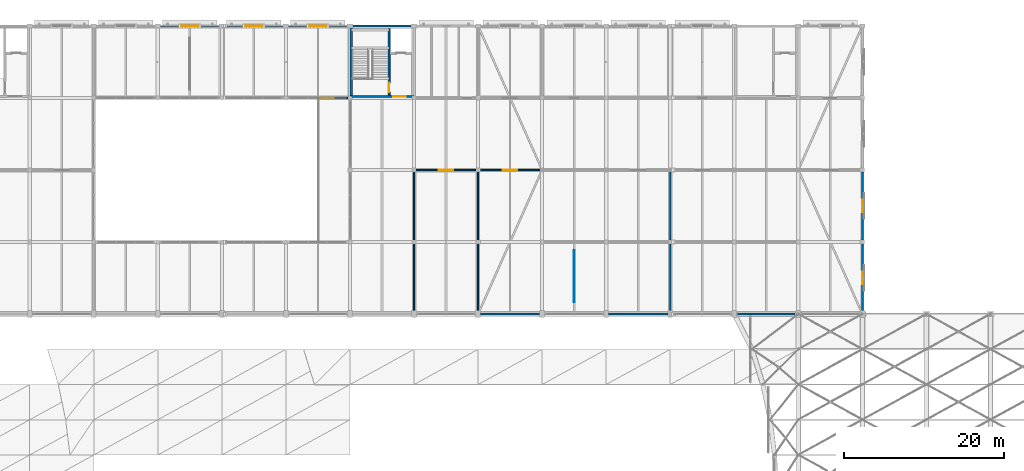
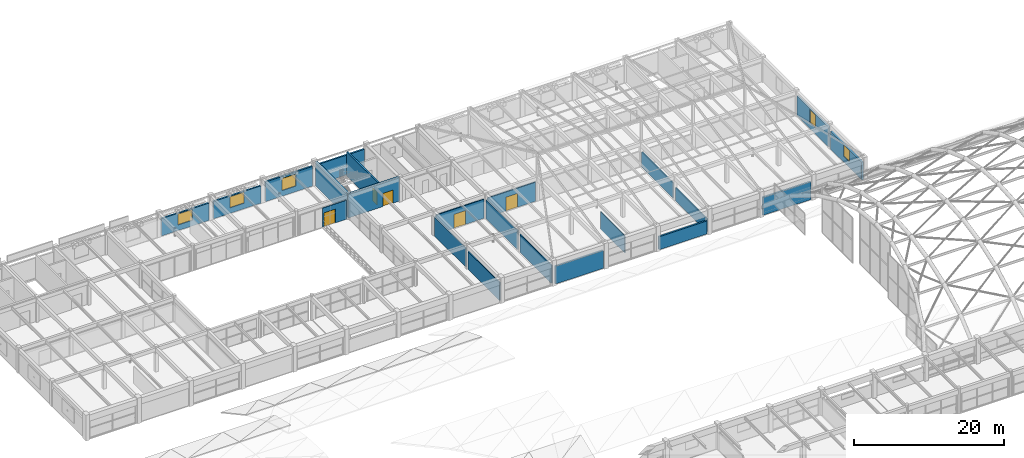
# One storey, part 100 of 126: 22 walls, 5 doors, 5 windows, 10 openings.
"""IFC4 building model written with IfcOpenShell, lengths in metres."""

from ifc_helpers import new_model, si_unit, direction, frame, frame_2d, origin, place, context, subcontext, project, spatial, rectangle, extrude, material, layer, layer_set, type_object, element, fill, save


model = new_model("IFC4")

# Units and contexts
model_context = context("Model", 3, precision=1e-05, world=origin(), true_north=direction((0.0, 1.0)))
body_context = subcontext(model_context, "Body", "Model", "MODEL_VIEW")
ifc_project = project(units=[si_unit("LENGTHUNIT", "METRE"), si_unit("AREAUNIT", "SQUARE_METRE"), si_unit("VOLUMEUNIT", "CUBIC_METRE"), si_unit("PLANEANGLEUNIT", "RADIAN"), si_unit("MASSUNIT", "GRAM", prefix="KILO")], contexts=[model_context])

# Site, building, storey
site_placement = place(None, origin())
site = spatial("IfcSite", under=ifc_project, at=site_placement, CompositionType="ELEMENT")
building_placement = place(site_placement, origin())
building = spatial("IfcBuilding", under=site, at=building_placement, Name="Varnabhumi Central Station", CompositionType="ELEMENT")
storey_placement = place(building_placement, frame((0.0, 0.0, 16.199951171875)))
storey = spatial("IfcBuildingStorey", under=building, at=storey_placement, Name="L03", CompositionType="ELEMENT", Elevation=16.199951171875)

# Wall
ifc_material_1 = material(Name="Concrete M40", Category="concrete")
ifc_layer_1 = layer(ifc_material_1, 0.300048828125, Name="Concrete M40", Category="concrete")
ifc_layer_set_1 = layer_set([ifc_layer_1], Name="Concrete M40")
wall_type_1 = type_object("IfcWallType", Name="WAL-CORE-RC-300", PredefinedType="SHEAR", material=ifc_layer_set_1)
wall_1_placement = place(storey_placement, frame((80.179931640625, 107.179931640625, 0.0), z_axis=(0.0, 0.0, 1.0), x_axis=(0.0, 1.0, 0.0)))
element("IfcWall", 1, at=wall_1_placement, inside=storey, type_object=wall_type_1, Name="NC2 L03 West Shear Wall", PredefinedType="SHEAR", context=body_context, shape_type="SweptSolid", body=[
    extrude(rectangle(XDim=8.64013671875, YDim=0.300048828125, at=frame_2d((4.320068359375, 0.0))), origin(), (0.0, 0.0, 1.0), 3.920166015625),
])

# Wall, opening, door
wall_2_placement = place(storey_placement, frame((80.030029296875, 107.179931640625, 0.0), z_axis=(0.0, 0.0, 1.0), x_axis=(1.0, 0.0, 0.0)))
wall_2 = element("IfcWall", 2, at=wall_2_placement, inside=storey, type_object=wall_type_1, Name="NC2 L03 Corridor Shear Wall", PredefinedType="SHEAR", context=body_context, shape_type="SweptSolid", body=[
    extrude(rectangle(XDim=7.93994140625, YDim=0.300048828125, at=frame_2d((3.969970703125, 0.0))), origin(), (0.0, 0.0, 1.0), 3.920166015625),
])
opening_1_placement = place(wall_2_placement, frame((5.35009765625, 0.0, 0.0)))
opening_1 = element("IfcOpeningElement", 3, at=opening_1_placement, cuts=wall_2, Name="Opening FD-60D", PredefinedType="OPENING", context=body_context, shape_type="SweptSolid", body=[
    extrude(rectangle(XDim=1.60009765625, YDim=2.14990234375, at=frame_2d((0.800048828125, 1.074951171875))), frame((0.0, 0.159912109375, 0.0), z_axis=(0.0, -1.0, 0.0), x_axis=(1.0, 0.0, 0.0)), (0.0, 0.0, 1.0), 0.320068359375),
])
ifc_material_2 = material(Name="Intumescent-treated hardwood timber", Category="wood")
door_type_1 = type_object("IfcDoorType", Name="DR-FIRE-60-1600", OperationType="NOTDEFINED", PredefinedType="DOOR", material=ifc_material_2)
door_1_placement = place(opening_1_placement, frame((1.60009765625, 0.0, 0.0), z_axis=(0.0, 0.0, 1.0), x_axis=(-1.0, 0.0, 0.0)))
door_1 = element("IfcDoor", 4, at=door_1_placement, inside=storey, type_object=door_type_1, Name="NC2 L03 Lobby Fire Door", OperationType="DOUBLE_DOOR_SINGLE_SWING", OverallHeight=2.14990234375, OverallWidth=1.60009765625, PredefinedType="DOOR", context=body_context, shape_type="SweptSolid", body=[
    extrude(rectangle(XDim=1.60009765625, YDim=2.14990234375, at=frame_2d((0.800048828125, 1.074951171875))), frame((0.0, 0.02490234375, 0.0), z_axis=(0.0, -1.0, 0.0), x_axis=(1.0, 0.0, 0.0)), (0.0, 0.0, 1.0), 0.050048828125),
])
fill(opening_1, door_1)

# Wall, opening, window
ifc_material_3 = material(Name="Autoclaved aerated blockwork masonry", Category="masonry")
ifc_layer_2 = layer(ifc_material_3, 0.260009765625, Name="Autoclaved aerated blockwork masonry", Category="masonry")
ifc_layer_set_2 = layer_set([ifc_layer_2], Name="Autoclaved aerated blockwork masonry")
wall_type_2 = type_object("IfcWallType", Name="WAL-EXT-STUCCO-260", PredefinedType="SOLIDWALL", material=ifc_layer_set_2)
wall_3_placement = place(storey_placement, frame((56.344970703125, 116.0, 0.0), z_axis=(0.0, 0.0, 1.0), x_axis=(1.0, 0.0, 0.0)))
wall_3 = element("IfcWall", 5, at=wall_3_placement, inside=storey, type_object=wall_type_2, Name="North Boulevard Wall L03-5", PredefinedType="SOLIDWALL", context=body_context, shape_type="SweptSolid", body=[
    extrude(rectangle(XDim=7.31005859375, YDim=0.260009765625, at=frame_2d((3.655029296875, 0.0))), origin(), (0.0, 0.0, 1.0), 2.830078125),
])
opening_2_placement = place(wall_3_placement, frame((2.554931640625, 0.0, 0.89990234375)))
opening_2 = element("IfcOpeningElement", 6, at=opening_2_placement, cuts=wall_3, Name="Opening W-03", PredefinedType="OPENING", context=body_context, shape_type="SweptSolid", body=[
    extrude(rectangle(XDim=2.199951171875, YDim=1.7900390625, at=frame_2d((1.10009765625, 0.89501953125))), frame((0.0, 0.139892578125, 0.0), z_axis=(0.0, -1.0, 0.0), x_axis=(1.0, 0.0, 0.0)), (0.0, 0.0, 1.0), 0.280029296875),
])
ifc_material_4 = material(Name="Laminated low-E double glazing", Category="glass")
window_type_1 = type_object("IfcWindowType", Name="WIN-PIER-2200x2200", PartitioningType="DOUBLE_PANEL_VERTICAL", PredefinedType="WINDOW", material=ifc_material_4)
window_1_placement = place(opening_2_placement, origin())
window_1 = element("IfcWindow", 7, at=window_1_placement, inside=storey, type_object=window_type_1, Name="North Facade Window L03-5", OverallHeight=1.7900390625, OverallWidth=2.199951171875, PartitioningType="SINGLE_PANEL", PredefinedType="WINDOW", context=body_context, shape_type="SweptSolid", body=[
    extrude(rectangle(XDim=2.199951171875, YDim=1.7900390625, at=frame_2d((1.10009765625, 0.89501953125))), frame((0.0, 0.030029296875, 0.0), z_axis=(0.0, -1.0, 0.0), x_axis=(1.0, 0.0, 0.0)), (0.0, 0.0, 1.0), 0.06005859375),
])
fill(opening_2, window_1)

wall_4_placement = place(storey_placement, frame((64.344970703125, 116.0, 0.0), z_axis=(0.0, 0.0, 1.0), x_axis=(1.0, 0.0, 0.0)))
wall_4 = element("IfcWall", 8, at=wall_4_placement, inside=storey, type_object=wall_type_2, Name="North Boulevard Wall L03-6", PredefinedType="SOLIDWALL", context=body_context, shape_type="SweptSolid", body=[
    extrude(rectangle(XDim=7.31005859375, YDim=0.260009765625, at=frame_2d((3.655029296875, 0.0))), origin(), (0.0, 0.0, 1.0), 2.830078125),
])
opening_3_placement = place(wall_4_placement, frame((2.554931640625, 0.0, 0.89990234375)))
opening_3 = element("IfcOpeningElement", 9, at=opening_3_placement, cuts=wall_4, Name="Opening W-03", PredefinedType="OPENING", context=body_context, shape_type="SweptSolid", body=[
    extrude(rectangle(XDim=2.199951171875, YDim=1.7900390625, at=frame_2d((1.10009765625, 0.89501953125))), frame((0.0, 0.139892578125, 0.0), z_axis=(0.0, -1.0, 0.0), x_axis=(1.0, 0.0, 0.0)), (0.0, 0.0, 1.0), 0.280029296875),
])
window_2_placement = place(opening_3_placement, origin())
window_2 = element("IfcWindow", 10, at=window_2_placement, inside=storey, type_object=window_type_1, Name="North Facade Window L03-6", OverallHeight=1.7900390625, OverallWidth=2.199951171875, PartitioningType="SINGLE_PANEL", PredefinedType="WINDOW", context=body_context, shape_type="SweptSolid", body=[
    extrude(rectangle(XDim=2.199951171875, YDim=1.7900390625, at=frame_2d((1.10009765625, 0.89501953125))), frame((0.0, 0.030029296875, 0.0), z_axis=(0.0, -1.0, 0.0), x_axis=(1.0, 0.0, 0.0)), (0.0, 0.0, 1.0), 0.06005859375),
])
fill(opening_3, window_2)

wall_5_placement = place(storey_placement, frame((72.344970703125, 116.0, 0.0), z_axis=(0.0, 0.0, 1.0), x_axis=(1.0, 0.0, 0.0)))
wall_5 = element("IfcWall", 11, at=wall_5_placement, inside=storey, type_object=wall_type_2, Name="North Boulevard Wall L03-7", PredefinedType="SOLIDWALL", context=body_context, shape_type="SweptSolid", body=[
    extrude(rectangle(XDim=7.31005859375, YDim=0.260009765625, at=frame_2d((3.655029296875, 0.0))), origin(), (0.0, 0.0, 1.0), 3.2099609375),
])
opening_4_placement = place(wall_5_placement, frame((2.554931640625, 0.0, 0.89990234375)))
opening_4 = element("IfcOpeningElement", 12, at=opening_4_placement, cuts=wall_5, Name="Opening W-03", PredefinedType="OPENING", context=body_context, shape_type="SweptSolid", body=[
    extrude(rectangle(XDim=2.199951171875, YDim=1.989990234375, at=frame_2d((1.10009765625, 0.9951171875))), frame((0.0, 0.139892578125, 0.0), z_axis=(0.0, -1.0, 0.0), x_axis=(1.0, 0.0, 0.0)), (0.0, 0.0, 1.0), 0.280029296875),
])
window_3_placement = place(opening_4_placement, origin())
window_3 = element("IfcWindow", 13, at=window_3_placement, inside=storey, type_object=window_type_1, Name="North Facade Window L03-7", OverallHeight=1.989990234375, OverallWidth=2.199951171875, PartitioningType="SINGLE_PANEL", PredefinedType="WINDOW", context=body_context, shape_type="SweptSolid", body=[
    extrude(rectangle(XDim=2.199951171875, YDim=1.989990234375, at=frame_2d((1.10009765625, 0.9951171875))), frame((0.0, 0.030029296875, 0.0), z_axis=(0.0, -1.0, 0.0), x_axis=(1.0, 0.0, 0.0)), (0.0, 0.0, 1.0), 0.06005859375),
])
fill(opening_4, window_3)

# Walls
wall_6_placement = place(storey_placement, frame((80.344970703125, 116.0, 0.0), z_axis=(0.0, 0.0, 1.0), x_axis=(1.0, 0.0, 0.0)))
element("IfcWall", 14, at=wall_6_placement, inside=storey, type_object=wall_type_2, Name="North Boulevard Wall L03-8", PredefinedType="SOLIDWALL", context=body_context, shape_type="SweptSolid", body=[
    extrude(rectangle(XDim=7.31005859375, YDim=0.260009765625, at=frame_2d((3.655029296875, 0.0))), origin(), (0.0, 0.0, 1.0), 3.2099609375),
])
wall_7_placement = place(storey_placement, frame((96.294921875, 80.0, 0.0), z_axis=(0.0, 0.0, 1.0), x_axis=(1.0, 0.0, 0.0)))
element("IfcWall", 15, at=wall_7_placement, inside=storey, type_object=wall_type_2, Name="North Spine Wall L03-10", PredefinedType="SOLIDWALL", context=body_context, shape_type="SweptSolid", body=[
    extrude(rectangle(XDim=7.41015625, YDim=0.260009765625, at=frame_2d((3.705078125, 0.0))), origin(), (0.0, 0.0, 1.0), 2.91015625),
])
wall_8_placement = place(storey_placement, frame((112.294921875, 80.0, 0.0), z_axis=(0.0, 0.0, 1.0), x_axis=(1.0, 0.0, 0.0)))
element("IfcWall", 16, at=wall_8_placement, inside=storey, type_object=wall_type_2, Name="North Spine Wall L03-12", PredefinedType="SOLIDWALL", context=body_context, shape_type="SweptSolid", body=[
    extrude(rectangle(XDim=7.41015625, YDim=0.260009765625, at=frame_2d((3.705078125, 0.0))), origin(), (0.0, 0.0, 1.0), 2.1201171875),
])
wall_9_placement = place(storey_placement, frame((128.294921875, 80.0, 0.0), z_axis=(0.0, 0.0, 1.0), x_axis=(1.0, 0.0, 0.0)))
element("IfcWall", 17, at=wall_9_placement, inside=storey, type_object=wall_type_2, Name="North Spine Wall L03-14", PredefinedType="SOLIDWALL", context=body_context, shape_type="SweptSolid", body=[
    extrude(rectangle(XDim=7.41015625, YDim=0.260009765625, at=frame_2d((3.705078125, 0.0))), origin(), (0.0, 0.0, 1.0), 2.91015625),
])

# Wall, opening, window
wall_10_placement = place(storey_placement, frame((144.0, 80.39990234375, 0.0), z_axis=(0.0, 0.0, 1.0), x_axis=(0.0, 1.0, 0.0)))
wall_10 = element("IfcWall", 18, at=wall_10_placement, inside=storey, type_object=wall_type_2, Name="North Wing W End Wall L03-1", PredefinedType="SOLIDWALL", context=body_context, shape_type="SweptSolid", body=[
    extrude(rectangle(XDim=8.330078125, YDim=0.260009765625, at=frame_2d((4.1650390625, 0.0))), origin(), (0.0, 0.0, 1.0), 2.91015625),
])
opening_5_placement = place(wall_10_placement, frame((3.300048828125, 0.0, 0.949951171875)))
opening_5 = element("IfcOpeningElement", 19, at=opening_5_placement, cuts=wall_10, Name="Opening W-04", PredefinedType="OPENING", context=body_context, shape_type="SweptSolid", body=[
    extrude(rectangle(XDim=1.60009765625, YDim=1.820068359375, at=frame_2d((0.800048828125, 0.91015625))), frame((0.0, 0.139892578125, 0.0), z_axis=(0.0, -1.0, 0.0), x_axis=(1.0, 0.0, 0.0)), (0.0, 0.0, 1.0), 0.280029296875),
])
window_type_2 = type_object("IfcWindowType", Name="WIN-PIER-1600x2200", PartitioningType="SINGLE_PANEL", PredefinedType="WINDOW", material=ifc_material_4)
window_4_placement = place(opening_5_placement, origin())
window_4 = element("IfcWindow", 20, at=window_4_placement, inside=storey, type_object=window_type_2, Name="North W Window L03-1", OverallHeight=1.820068359375, OverallWidth=1.60009765625, PartitioningType="SINGLE_PANEL", PredefinedType="WINDOW", context=body_context, shape_type="SweptSolid", body=[
    extrude(rectangle(XDim=1.60009765625, YDim=1.820068359375, at=frame_2d((0.800048828125, 0.91015625))), frame((0.0, 0.030029296875, 0.0), z_axis=(0.0, -1.0, 0.0), x_axis=(1.0, 0.0, 0.0)), (0.0, 0.0, 1.0), 0.06005859375),
])
fill(opening_5, window_4)

wall_11_placement = place(storey_placement, frame((144.0, 89.27001953125, 0.0), z_axis=(0.0, 0.0, 1.0), x_axis=(0.0, 1.0, 0.0)))
wall_11 = element("IfcWall", 21, at=wall_11_placement, inside=storey, type_object=wall_type_2, Name="North Wing W End Wall L03-2", PredefinedType="SOLIDWALL", context=body_context, shape_type="SweptSolid", body=[
    extrude(rectangle(XDim=8.4599609375, YDim=0.260009765625, at=frame_2d((4.22998046875, 0.0))), origin(), (0.0, 0.0, 1.0), 3.239990234375),
])
opening_6_placement = place(wall_11_placement, frame((3.429931640625, 0.0, 0.949951171875)))
opening_6 = element("IfcOpeningElement", 22, at=opening_6_placement, cuts=wall_11, Name="Opening W-04", PredefinedType="OPENING", context=body_context, shape_type="SweptSolid", body=[
    extrude(rectangle(XDim=1.60009765625, YDim=2.10009765625, at=frame_2d((0.800048828125, 1.050048828125))), frame((0.0, 0.139892578125, 0.0), z_axis=(0.0, -1.0, 0.0), x_axis=(1.0, 0.0, 0.0)), (0.0, 0.0, 1.0), 0.280029296875),
])
window_5_placement = place(opening_6_placement, origin())
window_5 = element("IfcWindow", 23, at=window_5_placement, inside=storey, type_object=window_type_2, Name="North W Window L03-2", OverallHeight=2.10009765625, OverallWidth=1.60009765625, PartitioningType="SINGLE_PANEL", PredefinedType="WINDOW", context=body_context, shape_type="SweptSolid", body=[
    extrude(rectangle(XDim=1.60009765625, YDim=2.10009765625, at=frame_2d((0.800048828125, 1.050048828125))), frame((0.0, 0.030029296875, 0.0), z_axis=(0.0, -1.0, 0.0), x_axis=(1.0, 0.0, 0.0)), (0.0, 0.0, 1.0), 0.06005859375),
])
fill(opening_6, window_5)

# Wall, opening, door
ifc_layer_3 = layer(ifc_material_3, 0.159912109375, Name="Autoclaved aerated blockwork masonry", Category="masonry")
ifc_layer_set_3 = layer_set([ifc_layer_3], Name="Autoclaved aerated blockwork masonry")
wall_type_3 = type_object("IfcWallType", Name="WAL-PART-AAC-160", PredefinedType="PARTITIONING", material=ifc_layer_set_3)
wall_12_placement = place(storey_placement, frame((76.0, 107.0, 0.0), z_axis=(0.0, 0.0, 1.0), x_axis=(1.0, 0.0, 0.0)))
wall_12 = element("IfcWall", 24, at=wall_12_placement, inside=storey, type_object=wall_type_3, Name="Civic Railway Heritage and Community Hall Corridor Partition 5", PredefinedType="PARTITIONING", context=body_context, shape_type="SweptSolid", body=[
    extrude(rectangle(XDim=3.699951171875, YDim=0.159912109375, at=frame_2d((1.85009765625, 0.0))), origin(), (0.0, 0.0, 1.0), 3.10009765625),
])
opening_7_placement = place(wall_12_placement, frame((0.199951171875, 0.0, 0.0)))
opening_7 = element("IfcOpeningElement", 25, at=opening_7_placement, cuts=wall_12, Name="Opening D-02", PredefinedType="OPENING", context=body_context, shape_type="SweptSolid", body=[
    extrude(rectangle(XDim=1.800048828125, YDim=2.25, at=frame_2d((0.89990234375, 1.125))), frame((0.0, 0.08984375, 0.0), z_axis=(0.0, -1.0, 0.0), x_axis=(1.0, 0.0, 0.0)), (0.0, 0.0, 1.0), 0.179931640625),
])
ifc_material_5 = material(Name="Anodised aluminium 6063-T6", Category="aluminium")
door_type_2 = type_object("IfcDoorType", Name="DR-LOUNGE-1800", OperationType="NOTDEFINED", PredefinedType="DOOR", material=ifc_material_5)
door_2_placement = place(opening_7_placement, frame((1.800048828125, 0.0, 0.0), z_axis=(0.0, 0.0, 1.0), x_axis=(-1.0, 0.0, 0.0)))
door_2 = element("IfcDoor", 26, at=door_2_placement, inside=storey, type_object=door_type_2, Name="Civic Railway Heritage and Community Hall Door 5", OperationType="DOUBLE_DOOR_SINGLE_SWING", OverallHeight=2.25, OverallWidth=1.800048828125, PredefinedType="DOOR", context=body_context, shape_type="SweptSolid", body=[
    extrude(rectangle(XDim=1.800048828125, YDim=2.25, at=frame_2d((0.89990234375, 1.125))), frame((0.0, 0.02490234375, 0.0), z_axis=(0.0, -1.0, 0.0), x_axis=(1.0, 0.0, 0.0)), (0.0, 0.0, 1.0), 0.050048828125),
])
fill(opening_7, door_2)

wall_13_placement = place(storey_placement, frame((88.300048828125, 98.0, 0.0), z_axis=(0.0, 0.0, 1.0), x_axis=(1.0, 0.0, 0.0)))
wall_13 = element("IfcWall", 27, at=wall_13_placement, inside=storey, type_object=wall_type_3, Name="Artisan Exhibition Gallery Corridor Partition 1", PredefinedType="PARTITIONING", context=body_context, shape_type="SweptSolid", body=[
    extrude(rectangle(XDim=7.39990234375, YDim=0.159912109375, at=frame_2d((3.699951171875, 0.0))), origin(), (0.0, 0.0, 1.0), 3.10009765625),
])
opening_8_placement = place(wall_13_placement, frame((2.800048828125, 0.0, 0.0)))
opening_8 = element("IfcOpeningElement", 28, at=opening_8_placement, cuts=wall_13, Name="Opening D-02", PredefinedType="OPENING", context=body_context, shape_type="SweptSolid", body=[
    extrude(rectangle(XDim=1.800048828125, YDim=2.25, at=frame_2d((0.89990234375, 1.125))), frame((0.0, 0.08984375, 0.0), z_axis=(0.0, -1.0, 0.0), x_axis=(1.0, 0.0, 0.0)), (0.0, 0.0, 1.0), 0.179931640625),
])
door_3_placement = place(opening_8_placement, origin())
door_3 = element("IfcDoor", 29, at=door_3_placement, inside=storey, type_object=door_type_2, Name="Artisan Exhibition Gallery Door 1", OperationType="DOUBLE_DOOR_SINGLE_SWING", OverallHeight=2.25, OverallWidth=1.800048828125, PredefinedType="DOOR", context=body_context, shape_type="SweptSolid", body=[
    extrude(rectangle(XDim=1.800048828125, YDim=2.25, at=frame_2d((0.89990234375, 1.125))), frame((0.0, 0.02490234375, 0.0), z_axis=(0.0, -1.0, 0.0), x_axis=(1.0, 0.0, 0.0)), (0.0, 0.0, 1.0), 0.050048828125),
])
fill(opening_8, door_3)

# Walls
wall_14_placement = place(storey_placement, frame((88.0, 80.300048828125, 0.0), z_axis=(0.0, 0.0, 1.0), x_axis=(0.0, 1.0, 0.0)))
element("IfcWall", 30, at=wall_14_placement, inside=storey, type_object=wall_type_3, Name="Artisan Exhibition Gallery E Partition 1", PredefinedType="PARTITIONING", context=body_context, shape_type="SweptSolid", body=[
    extrude(rectangle(XDim=8.39990234375, YDim=0.159912109375, at=frame_2d((4.199951171875, 0.0))), origin(), (0.0, 0.0, 1.0), 2.91015625),
])
wall_15_placement = place(storey_placement, frame((88.0, 89.300048828125, 0.0), z_axis=(0.0, 0.0, 1.0), x_axis=(0.0, 1.0, 0.0)))
element("IfcWall", 31, at=wall_15_placement, inside=storey, type_object=wall_type_3, Name="Artisan Exhibition Gallery E Partition 2", PredefinedType="PARTITIONING", context=body_context, shape_type="SweptSolid", body=[
    extrude(rectangle(XDim=8.39990234375, YDim=0.159912109375, at=frame_2d((4.199951171875, 0.0))), origin(), (0.0, 0.0, 1.0), 3.10009765625),
])
wall_16_placement = place(storey_placement, frame((96.0, 80.300048828125, 0.0), z_axis=(0.0, 0.0, 1.0), x_axis=(0.0, 1.0, 0.0)))
element("IfcWall", 32, at=wall_16_placement, inside=storey, type_object=wall_type_3, Name="Artisan Exhibition Gallery W Partition 1", PredefinedType="PARTITIONING", context=body_context, shape_type="SweptSolid", body=[
    extrude(rectangle(XDim=8.39990234375, YDim=0.159912109375, at=frame_2d((4.199951171875, 0.0))), origin(), (0.0, 0.0, 1.0), 2.91015625),
])
wall_17_placement = place(storey_placement, frame((96.0, 89.300048828125, 0.0), z_axis=(0.0, 0.0, 1.0), x_axis=(0.0, 1.0, 0.0)))
element("IfcWall", 33, at=wall_17_placement, inside=storey, type_object=wall_type_3, Name="Artisan Exhibition Gallery W Partition 2", PredefinedType="PARTITIONING", context=body_context, shape_type="SweptSolid", body=[
    extrude(rectangle(XDim=8.39990234375, YDim=0.159912109375, at=frame_2d((4.199951171875, 0.0))), origin(), (0.0, 0.0, 1.0), 3.10009765625),
])

# Wall, opening, door
wall_18_placement = place(storey_placement, frame((96.300048828125, 98.0, 0.0), z_axis=(0.0, 0.0, 1.0), x_axis=(1.0, 0.0, 0.0)))
wall_18 = element("IfcWall", 34, at=wall_18_placement, inside=storey, type_object=wall_type_3, Name="Travellers' Reading Room and Study Corridor Partition 1", PredefinedType="PARTITIONING", context=body_context, shape_type="SweptSolid", body=[
    extrude(rectangle(XDim=7.39990234375, YDim=0.159912109375, at=frame_2d((3.699951171875, 0.0))), origin(), (0.0, 0.0, 1.0), 3.10009765625),
])
opening_9_placement = place(wall_18_placement, frame((2.800048828125, 0.0, 0.0)))
opening_9 = element("IfcOpeningElement", 35, at=opening_9_placement, cuts=wall_18, Name="Opening D-02", PredefinedType="OPENING", context=body_context, shape_type="SweptSolid", body=[
    extrude(rectangle(XDim=1.800048828125, YDim=2.25, at=frame_2d((0.89990234375, 1.125))), frame((0.0, 0.08984375, 0.0), z_axis=(0.0, -1.0, 0.0), x_axis=(1.0, 0.0, 0.0)), (0.0, 0.0, 1.0), 0.179931640625),
])
door_4_placement = place(opening_9_placement, origin())
door_4 = element("IfcDoor", 36, at=door_4_placement, inside=storey, type_object=door_type_2, Name="Travellers' Reading Room and Study Door 1", OperationType="DOUBLE_DOOR_SINGLE_SWING", OverallHeight=2.25, OverallWidth=1.800048828125, PredefinedType="DOOR", context=body_context, shape_type="SweptSolid", body=[
    extrude(rectangle(XDim=1.800048828125, YDim=2.25, at=frame_2d((0.89990234375, 1.125))), frame((0.0, 0.02490234375, 0.0), z_axis=(0.0, -1.0, 0.0), x_axis=(1.0, 0.0, 0.0)), (0.0, 0.0, 1.0), 0.050048828125),
])
fill(opening_9, door_4)

# Walls
wall_19_placement = place(storey_placement, frame((120.0, 80.300048828125, 0.0), z_axis=(0.0, 0.0, 1.0), x_axis=(0.0, 1.0, 0.0)))
element("IfcWall", 37, at=wall_19_placement, inside=storey, type_object=wall_type_3, Name="Travellers' Reading Room and Study W Partition 1", PredefinedType="PARTITIONING", context=body_context, shape_type="SweptSolid", body=[
    extrude(rectangle(XDim=8.39990234375, YDim=0.159912109375, at=frame_2d((4.199951171875, 0.0))), origin(), (0.0, 0.0, 1.0), 2.1201171875),
])
wall_20_placement = place(storey_placement, frame((120.0, 89.300048828125, 0.0), z_axis=(0.0, 0.0, 1.0), x_axis=(0.0, 1.0, 0.0)))
element("IfcWall", 38, at=wall_20_placement, inside=storey, type_object=wall_type_3, Name="Travellers' Reading Room and Study W Partition 2", PredefinedType="PARTITIONING", context=body_context, shape_type="SweptSolid", body=[
    extrude(rectangle(XDim=8.39990234375, YDim=0.159912109375, at=frame_2d((4.199951171875, 0.0))), origin(), (0.0, 0.0, 1.0), 2.47998046875),
])
ifc_layer_4 = layer(ifc_material_3, 0.1201171875, Name="Autoclaved aerated blockwork masonry", Category="masonry")
ifc_layer_set_4 = layer_set([ifc_layer_4], Name="Autoclaved aerated blockwork masonry")
wall_type_4 = type_object("IfcWallType", Name="WAL-PART-DRY-120", PredefinedType="MOVABLE", material=ifc_layer_set_4)
wall_21_placement = place(storey_placement, frame((108.0, 81.5, 0.0), z_axis=(0.0, 0.0, 1.0), x_axis=(0.0, 1.0, 0.0)))
element("IfcWall", 39, at=wall_21_placement, inside=storey, type_object=wall_type_4, Name="Acoustic Operable Partition MP-5", PredefinedType="MOVABLE", context=body_context, shape_type="SweptSolid", body=[
    extrude(rectangle(XDim=6.5, YDim=0.1201171875, at=frame_2d((3.25, 0.0))), origin(), (0.0, 0.0, 1.0), 2.800048828125),
])

# Wall, opening, door
ifc_layer_5 = layer(ifc_material_1, 0.239990234375, Name="Concrete M40", Category="concrete")
ifc_layer_set_5 = layer_set([ifc_layer_5], Name="Concrete M40")
wall_type_5 = type_object("IfcWallType", Name="WAL-SHAFT-RC-240", PredefinedType="SHEAR", material=ifc_layer_set_5)
wall_22_placement = place(storey_placement, frame((84.89990234375, 107.35009765625, 0.0), z_axis=(0.0, 0.0, 1.0), x_axis=(0.0, 1.0, 0.0)))
wall_22 = element("IfcWall", 40, at=wall_22_placement, inside=storey, type_object=wall_type_5, Name="NC2 L03 Stair-Lobby Divider Wall", PredefinedType="SHEAR", context=body_context, shape_type="SweptSolid", body=[
    extrude(rectangle(XDim=8.2998046875, YDim=0.239990234375, at=frame_2d((4.14990234375, 0.0))), origin(), (0.0, 0.0, 1.0), 3.920166015625),
])
opening_10_placement = place(wall_22_placement, frame((0.35009765625, 0.0, 0.0)))
opening_10 = element("IfcOpeningElement", 41, at=opening_10_placement, cuts=wall_22, Name="Opening FD-120", PredefinedType="OPENING", context=body_context, shape_type="SweptSolid", body=[
    extrude(rectangle(XDim=1.199951171875, YDim=2.14990234375, at=frame_2d((0.60009765625, 1.074951171875))), frame((0.0, 0.1298828125, 0.0), z_axis=(0.0, -1.0, 0.0), x_axis=(1.0, 0.0, 0.0)), (0.0, 0.0, 1.0), 0.260009765625),
])
ifc_material_6 = material(Name="Stainless steel Grade 316", Category="steel")
door_type_3 = type_object("IfcDoorType", Name="DR-FIRE-120-1200", OperationType="NOTDEFINED", PredefinedType="DOOR", material=ifc_material_6)
door_5_placement = place(opening_10_placement, origin())
door_5 = element("IfcDoor", 42, at=door_5_placement, inside=storey, type_object=door_type_3, Name="ST-N2 L03 Fire Door", OperationType="SINGLE_SWING_RIGHT", OverallHeight=2.14990234375, OverallWidth=1.199951171875, PredefinedType="DOOR", context=body_context, shape_type="SweptSolid", body=[
    extrude(rectangle(XDim=1.199951171875, YDim=2.14990234375, at=frame_2d((0.60009765625, 1.074951171875))), frame((0.0, 0.02490234375, 0.0), z_axis=(0.0, -1.0, 0.0), x_axis=(1.0, 0.0, 0.0)), (0.0, 0.0, 1.0), 0.050048828125),
])
fill(opening_10, door_5)

save(model, "model.ifc")
